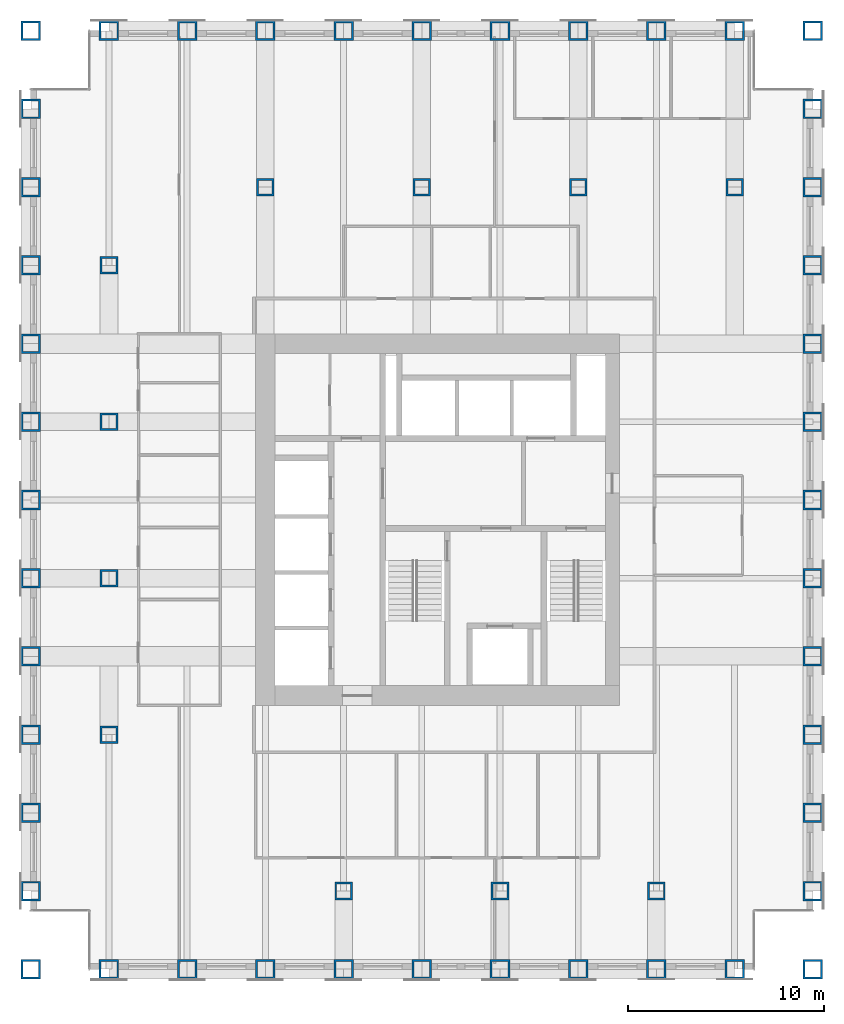
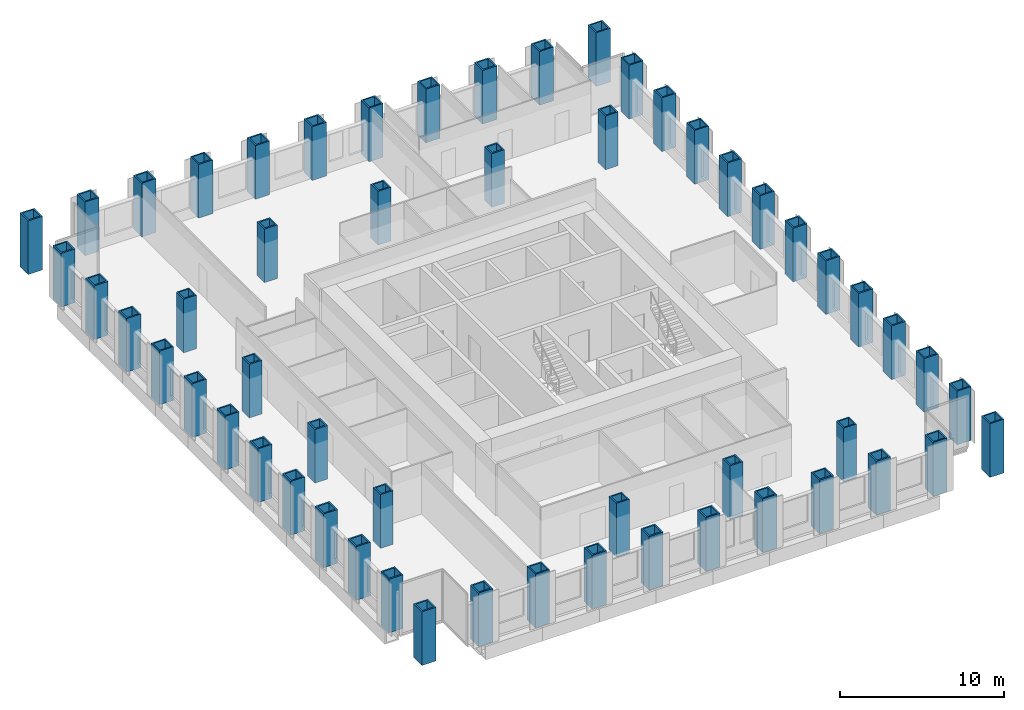
# One storey, part 1 of 12: 55 columns.
"""IFC4 building model written with IfcOpenShell, lengths in metres."""

from ifc_helpers import new_model, si_unit, direction, frame, origin, origin_2d, place, context, subcontext, project, spatial, hollow_rectangle, extrude, material, material_profile, profile_set, type_object, element, save


model = new_model("IFC4")

# Units and contexts
model_context = context("Model", 3, precision=1e-05, world=origin(), true_north=direction((0.0, 1.0)))
body_context = subcontext(model_context, "Body", "Model", "MODEL_VIEW")
ifc_project = project(units=[si_unit("LENGTHUNIT", "METRE"), si_unit("AREAUNIT", "SQUARE_METRE"), si_unit("VOLUMEUNIT", "CUBIC_METRE"), si_unit("PLANEANGLEUNIT", "RADIAN"), si_unit("MASSUNIT", "GRAM", prefix="KILO")], contexts=[model_context])

# Site, building, storey
site_placement = place(None, origin())
site = spatial("IfcSite", under=ifc_project, at=site_placement, CompositionType="ELEMENT")
building_placement = place(site_placement, origin())
building = spatial("IfcBuilding", under=site, at=building_placement, Name="Rimbunsela Tower", CompositionType="ELEMENT")
storey_placement = place(building_placement, frame((0.0, 0.0, 159.800048828125)))
storey = spatial("IfcBuildingStorey", under=building, at=storey_placement, Name="L38", CompositionType="ELEMENT", Elevation=159.800048828125)

# Columns
ifc_material_1 = material(Name="Steel BJ 55 (fy 410 MPa)", Category="steel")
ifc_material_profile_1 = material_profile(ifc_material_1, hollow_rectangle(XDim=1.0, YDim=1.0, WallThickness=0.10009765625, at=origin_2d()), Name="BOX 1000x1000x100")
ifc_profile_set_1 = profile_set([ifc_material_profile_1], Name="Steel BJ 55 (fy 410 MPa)")
column_type_1 = type_object("IfcColumnType", Name="Column BOX 1000x1000x100", PredefinedType="COLUMN", material=ifc_profile_set_1)
for number, where, z_axis, x_axis, name in (
    (1, (6.0, 4.0, 0.0), (0.0, 0.0, 1.0), (1.0, 0.0, 0.0), "Column C1 4/C L38"),
    (2, (6.0, 8.0, 0.0), (0.0, 0.0, 1.0), (1.0, 0.0, 0.0), "Column C1 4/D L38"),
    (3, (6.0, 12.0, 0.0), (0.0, 0.0, 1.0), (1.0, 0.0, 0.0), "Column C1 4/E L38"),
    (4, (6.0, 16.0, 0.0), (0.0, 0.0, 1.0), (1.0, 0.0, 0.0), "Column C1 4/F L38"),
    (5, (6.0, 20.0, 0.0), (0.0, 0.0, 1.0), (1.0, 0.0, 0.0), "Column C1 4/G L38"),
    (6, (6.0, 24.0, 0.0), (0.0, 0.0, 1.0), (1.0, 0.0, 0.0), "Column C1 4/H L38"),
    (7, (6.0, 28.0, 0.0), (0.0, 0.0, 1.0), (1.0, 0.0, 0.0), "Column C1 4/J L38"),
    (8, (6.0, 32.0, 0.0), (0.0, 0.0, 1.0), (1.0, 0.0, 0.0), "Column C1 4/K L38"),
    (9, (6.0, 36.0, 0.0), (0.0, 0.0, 1.0), (1.0, 0.0, 0.0), "Column C1 4/L L38"),
    (10, (6.0, 40.0, 0.0), (0.0, 0.0, 1.0), (1.0, 0.0, 0.0), "Column C1 4/M L38"),
    (11, (6.0, 44.0, 0.0), (0.0, 0.0, 1.0), (1.0, 0.0, 0.0), "Column C1 4/N L38"),
    (12, (6.0, 48.0, 0.0), (0.0, 0.0, 1.0), (1.0, 0.0, 0.0), "Column C1 4/P L38"),
    (13, (6.0, 52.0, 0.0), (0.0, 0.0, 1.0), (1.0, 0.0, 0.0), "Column C1 4/Q L38"),
    (14, (10.0, 4.0, 0.0), (0.0, 0.0, 1.0), (1.0, 0.0, 0.0), "Column C1 5/C L38"),
    (15, (10.0, 52.0, 0.0), (0.0, 0.0, 1.0), (1.0, 0.0, 0.0), "Column C1 5/Q L38"),
    (16, (14.0, 4.0, 0.0), (0.0, 0.0, 1.0), (1.0, 0.0, 0.0), "Column C1 6/C L38"),
    (17, (14.0, 52.0, 0.0), (0.0, 0.0, 1.0), (1.0, 0.0, 0.0), "Column C1 6/Q L38"),
    (18, (18.0, 4.0, 0.0), (0.0, 0.0, 1.0), (1.0, 0.0, 0.0), "Column C1 7/C L38"),
    (19, (18.0, 52.0, 0.0), (0.0, 0.0, 1.0), (1.0, 0.0, 0.0), "Column C1 7/Q L38"),
    (20, (22.0, 4.0, 0.0), (0.0, 0.0, 1.0), (1.0, 0.0, 0.0), "Column C1 8/C L38"),
    (21, (22.0, 52.0, 0.0), (0.0, 0.0, 1.0), (1.0, 0.0, 0.0), "Column C1 8/Q L38"),
    (22, (26.0, 4.0, 0.0), (0.0, 0.0, 1.0), (1.0, 0.0, 0.0), "Column C1 9/C L38"),
    (23, (26.0, 52.0, 0.0), (0.0, 0.0, 1.0), (1.0, 0.0, 0.0), "Column C1 9/Q L38"),
    (24, (30.0, 4.0, 0.0), (0.0, 0.0, 1.0), (1.0, 0.0, 0.0), "Column C1 10/C L38"),
    (25, (30.0, 52.0, 0.0), (0.0, 0.0, 1.0), (1.0, 0.0, 0.0), "Column C1 10/Q L38"),
    (26, (34.0, 4.0, 0.0), (0.0, 0.0, 1.0), (1.0, 0.0, 0.0), "Column C1 11/C L38"),
    (27, (34.0, 52.0, 0.0), (0.0, 0.0, 1.0), (1.0, 0.0, 0.0), "Column C1 11/Q L38"),
    (28, (38.0, 4.0, 0.0), (0.0, 0.0, 1.0), (1.0, 0.0, 0.0), "Column C1 12/C L38"),
    (29, (38.0, 52.0, 0.0), (0.0, 0.0, 1.0), (1.0, 0.0, 0.0), "Column C1 12/Q L38"),
    (30, (42.0, 4.0, 0.0), (0.0, 0.0, 1.0), (1.0, 0.0, 0.0), "Column C1 13/C L38"),
    (31, (42.0, 52.0, 0.0), (0.0, 0.0, 1.0), (1.0, 0.0, 0.0), "Column C1 13/Q L38"),
    (32, (46.0, 4.0, 0.0), (0.0, 0.0, 1.0), (1.0, 0.0, 0.0), "Column C1 14/C L38"),
    (33, (46.0, 8.0, 0.0), (0.0, 0.0, 1.0), (1.0, 0.0, 0.0), "Column C1 14/D L38"),
    (34, (46.0, 12.0, 0.0), (0.0, 0.0, 1.0), (1.0, 0.0, 0.0), "Column C1 14/E L38"),
    (35, (46.0, 16.0, 0.0), (0.0, 0.0, 1.0), (1.0, 0.0, 0.0), "Column C1 14/F L38"),
    (36, (46.0, 20.0, 0.0), (0.0, 0.0, 1.0), (1.0, 0.0, 0.0), "Column C1 14/G L38"),
    (37, (46.0, 24.0, 0.0), (0.0, 0.0, 1.0), (1.0, 0.0, 0.0), "Column C1 14/H L38"),
    (38, (46.0, 28.0, 0.0), (0.0, 0.0, 1.0), (1.0, 0.0, 0.0), "Column C1 14/J L38"),
    (39, (46.0, 32.0, 0.0), (0.0, 0.0, 1.0), (1.0, 0.0, 0.0), "Column C1 14/K L38"),
    (40, (46.0, 36.0, 0.0), (0.0, 0.0, 1.0), (1.0, 0.0, 0.0), "Column C1 14/L L38"),
    (41, (46.0, 40.0, 0.0), (0.0, 0.0, 1.0), (1.0, 0.0, 0.0), "Column C1 14/M L38"),
    (42, (46.0, 44.0, 0.0), (0.0, 0.0, 1.0), (1.0, 0.0, 0.0), "Column C1 14/N L38"),
    (43, (46.0, 48.0, 0.0), (0.0, 0.0, 1.0), (1.0, 0.0, 0.0), "Column C1 14/P L38"),
    (44, (46.0, 52.0, 0.0), (0.0, 0.0, 1.0), (1.0, 0.0, 0.0), "Column C1 14/Q L38"),
):
    element("IfcColumn", number, at=place(storey_placement, frame(where, z_axis=z_axis, x_axis=x_axis)), inside=storey, type_object=column_type_1, Name=name, PredefinedType="COLUMN", context=body_context, shape_type="SweptSolid", body=[
        extrude(hollow_rectangle(XDim=1.0, YDim=1.0, WallThickness=0.10009765625, at=origin_2d()), origin(), (0.0, 0.0, 1.0), 4.0),
    ])
ifc_material_2 = material(Name="Steel BJ 55 (fy 410 MPa)", Category="steel")
ifc_material_profile_2 = material_profile(ifc_material_2, hollow_rectangle(XDim=0.89990234375, YDim=0.89990234375, WallThickness=0.10009765625, at=origin_2d()), Name="BOX 900x900x100")
ifc_profile_set_2 = profile_set([ifc_material_profile_2], Name="Steel BJ 55 (fy 410 MPa)")
column_type_2 = type_object("IfcColumnType", Name="Column BOX 900x900x100", PredefinedType="COLUMN", material=ifc_profile_set_2)
for number, where, z_axis, x_axis, name in (
    (45, (10.0, 16.0, 0.0), (0.0, 0.0, 1.0), (1.0, 0.0, 0.0), "Column C5 5/F L38"),
    (46, (10.0, 24.0, 0.0), (0.0, 0.0, 1.0), (1.0, 0.0, 0.0), "Column C5 5/H L38"),
    (47, (10.0, 32.0, 0.0), (0.0, 0.0, 1.0), (1.0, 0.0, 0.0), "Column C5 5/K L38"),
    (48, (10.0, 40.0, 0.0), (0.0, 0.0, 1.0), (1.0, 0.0, 0.0), "Column C5 5/M L38"),
    (49, (18.0, 44.0, 0.0), (0.0, 0.0, 1.0), (1.0, 0.0, 0.0), "Column C5 7/N L38"),
    (50, (22.0, 8.0, 0.0), (0.0, 0.0, 1.0), (1.0, 0.0, 0.0), "Column C5 8/D L38"),
    (51, (26.0, 44.0, 0.0), (0.0, 0.0, 1.0), (1.0, 0.0, 0.0), "Column C5 9/N L38"),
    (52, (30.0, 8.0, 0.0), (0.0, 0.0, 1.0), (1.0, 0.0, 0.0), "Column C5 10/D L38"),
    (53, (34.0, 44.0, 0.0), (0.0, 0.0, 1.0), (1.0, 0.0, 0.0), "Column C5 11/N L38"),
    (54, (38.0, 8.0, 0.0), (0.0, 0.0, 1.0), (1.0, 0.0, 0.0), "Column C5 12/D L38"),
    (55, (42.0, 44.0, 0.0), (0.0, 0.0, 1.0), (1.0, 0.0, 0.0), "Column C5 13/N L38"),
):
    element("IfcColumn", number, at=place(storey_placement, frame(where, z_axis=z_axis, x_axis=x_axis)), inside=storey, type_object=column_type_2, Name=name, PredefinedType="COLUMN", context=body_context, shape_type="SweptSolid", body=[
        extrude(hollow_rectangle(XDim=0.89990234375, YDim=0.89990234375, WallThickness=0.10009765625, at=origin_2d()), origin(), (0.0, 0.0, 1.0), 4.0),
    ])

save(model, "model.ifc")
